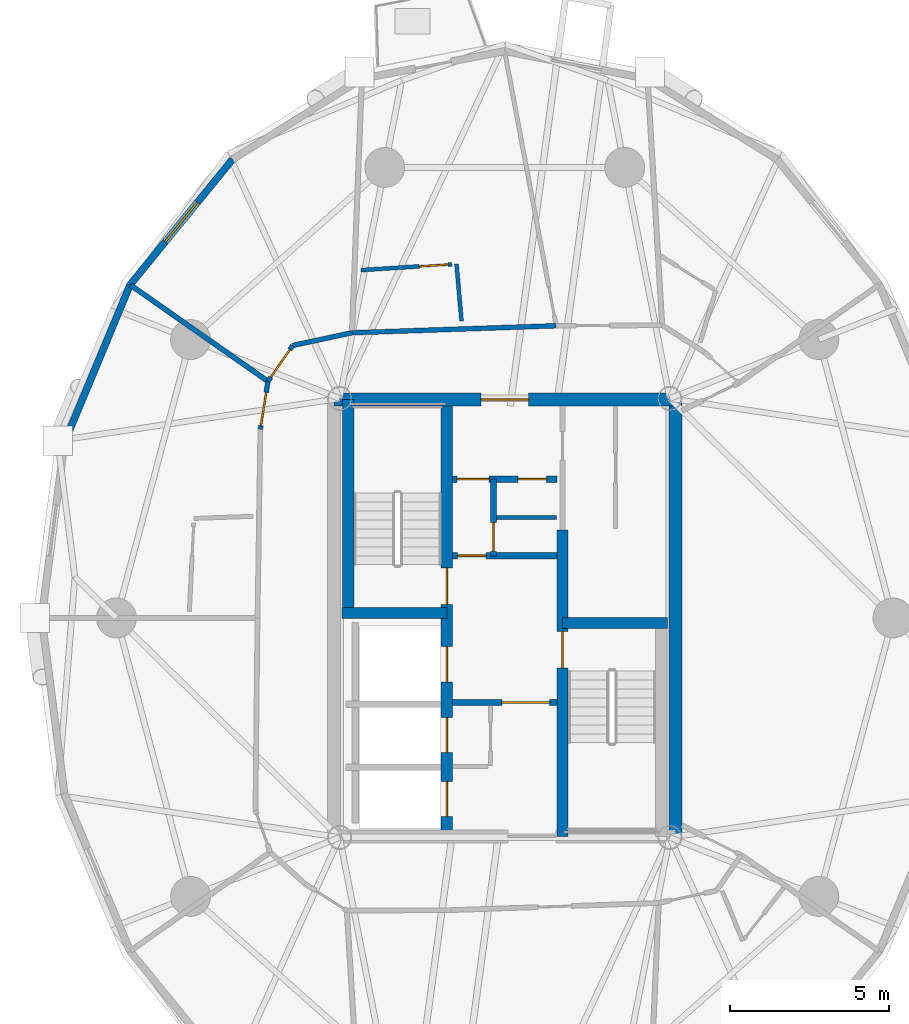
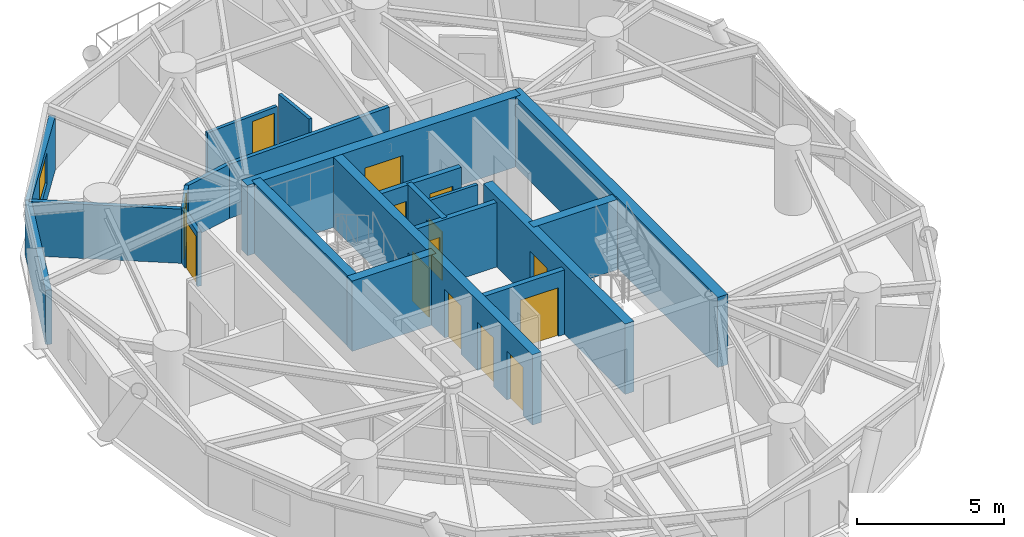
# One storey, part 11 of 19: 21 walls, 14 doors, 1 window, 15 openings.
"""IFC4 building model written with IfcOpenShell, lengths in metres."""

from ifc_helpers import new_model, si_unit, direction, frame, frame_2d, origin, place, context, subcontext, project, spatial, rectangle, extrude, source, transform, mapped, material, layer, layer_set, type_object, element, fill, save


model = new_model("IFC4")

# Units and contexts
model_context = context("Model", 3, precision=1e-05, world=origin(), true_north=direction((0.0, 1.0)))
body_context = subcontext(model_context, "Body", "Model", "MODEL_VIEW")
ifc_project = project(units=[si_unit("LENGTHUNIT", "METRE"), si_unit("AREAUNIT", "SQUARE_METRE"), si_unit("VOLUMEUNIT", "CUBIC_METRE"), si_unit("PLANEANGLEUNIT", "RADIAN"), si_unit("MASSUNIT", "GRAM", prefix="KILO")], contexts=[model_context])

# Site, building, storey
site_placement = place(None, origin())
site = spatial("IfcSite", under=ifc_project, at=site_placement, CompositionType="ELEMENT")
building_placement = place(site_placement, origin())
building = spatial("IfcBuilding", under=site, at=building_placement, Name="Cununo Teusaquillo Station Towers", CompositionType="ELEMENT")
storey_placement = place(building_placement, frame((0.0, 0.0, 151.60009765625)))
storey = spatial("IfcBuildingStorey", under=building, at=storey_placement, Name="L47", CompositionType="ELEMENT", Elevation=151.60009765625)

# Wall, openings, doors
ifc_material_1 = material(Name="Concrete C50/60", Category="concrete")
ifc_layer_1 = layer(ifc_material_1, 0.35009765625)
ifc_layer_set_1 = layer_set([ifc_layer_1], Name="Concrete C50/60")
wall_type_1 = type_object("IfcWallType", Name="WL-CORE-350", PredefinedType="SHEAR", material=ifc_layer_set_1)
wall_1_placement = place(storey_placement, frame((14.68505859375, 17.64990234375, 0.0), z_axis=(0.0, 0.0, 1.0), x_axis=(0.0, 1.0, 0.0)))
wall_1 = element("IfcWall", 1, at=wall_1_placement, inside=storey, type_object=wall_type_1, Name="L47 Tower A Core Shear Wall IW", PredefinedType="SHEAR", context=body_context, shape_type="SweptSolid", body=[
    extrude(rectangle(XDim=13.7001953125, YDim=0.35009765625, at=frame_2d((6.85009765625, 0.0))), origin(), (0.0, 0.0, 1.0), 2.909912109375),
])
shared_shape_1 = source(origin(), body_context, "Body", "SweptSolid", [
    extrude(rectangle(XDim=1.10009765625, YDim=2.014892578125, at=frame_2d((0.550048828125, 1.00732421875))), frame((0.0, 0.18505859375, 0.0), z_axis=(0.0, -1.0, 0.0), x_axis=(1.0, 0.0, 0.0)), (0.0, 0.0, 1.0), 0.3701171875),
])
opening_1_placement = place(wall_1_placement, frame((4.85009765625, 0.0, 0.0)))
opening_1 = element("IfcOpeningElement", 2, at=opening_1_placement, cuts=wall_1, Name="Opening LD-01", PredefinedType="OPENING", context=body_context, shape_type="MappedRepresentation", body=[
    mapped(shared_shape_1, transform((0.0, 0.0, 0.0), x_axis=(1.0, 0.0, 0.0), y_axis=(0.0, 1.0, 0.0), z_axis=(0.0, 0.0, 1.0), scale=1.0)),
])
opening_2_placement = place(wall_1_placement, frame((0.625, 0.0, 0.0)))
opening_2 = element("IfcOpeningElement", 3, at=opening_2_placement, cuts=wall_1, Name="Opening LD-01", PredefinedType="OPENING", context=body_context, shape_type="MappedRepresentation", body=[
    mapped(shared_shape_1, transform((0.0, 0.0, 0.0), x_axis=(1.0, 0.0, 0.0), y_axis=(0.0, 1.0, 0.0), z_axis=(0.0, 0.0, 1.0), scale=1.0)),
])
opening_3_placement = place(wall_1_placement, frame((2.625, 0.0, 0.0)))
opening_3 = element("IfcOpeningElement", 4, at=opening_3_placement, cuts=wall_1, Name="Opening LD-01", PredefinedType="OPENING", context=body_context, shape_type="MappedRepresentation", body=[
    mapped(shared_shape_1, transform((0.0, 0.0, 0.0), x_axis=(1.0, 0.0, 0.0), y_axis=(0.0, 1.0, 0.0), z_axis=(0.0, 0.0, 1.0), scale=1.0)),
])
shared_shape_2 = source(origin(), body_context, "Body", "SweptSolid", [
    extrude(rectangle(XDim=1.14990234375, YDim=2.02001953125, at=frame_2d((0.574951171875, 1.010009765625))), frame((0.0, 0.18505859375, 0.0), z_axis=(0.0, -1.0, 0.0), x_axis=(1.0, 0.0, 0.0)), (0.0, 0.0, 1.0), 0.3701171875),
])
opening_4_placement = place(wall_1_placement, frame((7.27001953125, 0.0, 0.0)))
opening_4 = element("IfcOpeningElement", 5, at=opening_4_placement, cuts=wall_1, Name="Opening D-ST1", PredefinedType="OPENING", context=body_context, shape_type="MappedRepresentation", body=[
    mapped(shared_shape_2, transform((0.0, 0.0, 0.0), x_axis=(1.0, 0.0, 0.0), y_axis=(0.0, 1.0, 0.0), z_axis=(0.0, 0.0, 1.0), scale=1.0)),
])
ifc_material_2 = material(Name="Galvanised fire-rated hollow steel door assembly", Category="steel")
door_type_1 = type_object("IfcDoorType", Name="DR-LIFT-1100", OperationType="SLIDING_TO_LEFT", PredefinedType="DOOR", material=ifc_material_2)
shared_shape_3 = source(origin(), body_context, "Body", "SweptSolid", [
    extrude(rectangle(XDim=1.10009765625, YDim=2.014892578125, at=frame_2d((0.550048828125, 1.00732421875))), frame((0.0, 0.02490234375, 0.0), z_axis=(0.0, -1.0, 0.0), x_axis=(1.0, 0.0, 0.0)), (0.0, 0.0, 1.0), 0.050048828125),
])
door_1_placement = place(opening_1_placement, origin())
door_1 = element("IfcDoor", 6, at=door_1_placement, inside=storey, type_object=door_type_1, Name="L47 Lift FL-T1 Sliding Landing Door", OperationType="SLIDING_TO_RIGHT", OverallHeight=2.014892578125, OverallWidth=1.10009765625, PredefinedType="DOOR", context=body_context, shape_type="MappedRepresentation", body=[
    mapped(shared_shape_3, transform((0.0, 0.0, 0.0), x_axis=(1.0, 0.0, 0.0), y_axis=(0.0, 1.0, 0.0), z_axis=(0.0, 0.0, 1.0), scale=1.0)),
])
fill(opening_1, door_1)
door_2_placement = place(opening_2_placement, origin())
door_2 = element("IfcDoor", 7, at=door_2_placement, inside=storey, type_object=door_type_1, Name="L47 Lift PL-T1-H1 Sliding Landing Door", OperationType="SLIDING_TO_LEFT", OverallHeight=2.014892578125, OverallWidth=1.10009765625, PredefinedType="DOOR", context=body_context, shape_type="MappedRepresentation", body=[
    mapped(shared_shape_3, transform((0.0, 0.0, 0.0), x_axis=(1.0, 0.0, 0.0), y_axis=(0.0, 1.0, 0.0), z_axis=(0.0, 0.0, 1.0), scale=1.0)),
])
fill(opening_2, door_2)
door_3_placement = place(opening_3_placement, origin())
door_3 = element("IfcDoor", 8, at=door_3_placement, inside=storey, type_object=door_type_1, Name="L47 Lift PL-T1-H2 Sliding Landing Door", OperationType="SLIDING_TO_RIGHT", OverallHeight=2.014892578125, OverallWidth=1.10009765625, PredefinedType="DOOR", context=body_context, shape_type="MappedRepresentation", body=[
    mapped(shared_shape_3, transform((0.0, 0.0, 0.0), x_axis=(1.0, 0.0, 0.0), y_axis=(0.0, 1.0, 0.0), z_axis=(0.0, 0.0, 1.0), scale=1.0)),
])
fill(opening_3, door_3)
ifc_material_3 = material(Name="Galvanised fire-rated hollow steel door assembly", Category="steel")
door_type_2 = type_object("IfcDoorType", Name="DR-STAIR-1150", OperationType="NOTDEFINED", PredefinedType="DOOR", material=ifc_material_3)
shared_shape_4 = source(origin(), body_context, "Body", "SweptSolid", [
    extrude(rectangle(XDim=1.14990234375, YDim=2.02001953125, at=frame_2d((0.574951171875, 1.010009765625))), frame((0.0, 0.02490234375, 0.0), z_axis=(0.0, -1.0, 0.0), x_axis=(1.0, 0.0, 0.0)), (0.0, 0.0, 1.0), 0.050048828125),
])
door_4_placement = place(opening_4_placement, origin())
door_4 = element("IfcDoor", 9, at=door_4_placement, inside=storey, type_object=door_type_2, Name="L47 Tower A Exit Stair 1 Fire Door", OperationType="SINGLE_SWING_RIGHT", OverallHeight=2.02001953125, OverallWidth=1.14990234375, PredefinedType="DOOR", context=body_context, shape_type="MappedRepresentation", body=[
    mapped(shared_shape_4, transform((0.0, 0.0, 0.0), x_axis=(1.0, 0.0, 0.0), y_axis=(0.0, 1.0, 0.0), z_axis=(0.0, 0.0, 1.0), scale=1.0)),
])
fill(opening_4, door_4)

# Wall, opening, door
wall_2_placement = place(storey_placement, frame((18.31494140625, 17.64990234375, 0.0), z_axis=(0.0, 0.0, 1.0), x_axis=(0.0, 1.0, 0.0)))
wall_2 = element("IfcWall", 10, at=wall_2_placement, inside=storey, type_object=wall_type_1, Name="L47 Tower A Core Shear Wall IE", PredefinedType="SHEAR", context=body_context, shape_type="SweptSolid", body=[
    extrude(rectangle(XDim=9.60009765625, YDim=0.35009765625, at=frame_2d((4.800048828125, 0.0))), origin(), (0.0, 0.0, 1.0), 2.909912109375),
])
opening_5_placement = place(wall_2_placement, frame((5.280029296875, 0.0, 0.0)))
opening_5 = element("IfcOpeningElement", 11, at=opening_5_placement, cuts=wall_2, Name="Opening D-ST1", PredefinedType="OPENING", context=body_context, shape_type="MappedRepresentation", body=[
    mapped(shared_shape_2, transform((0.0, 0.0, 0.0), x_axis=(1.0, 0.0, 0.0), y_axis=(0.0, 1.0, 0.0), z_axis=(0.0, 0.0, 1.0), scale=1.0)),
])
door_5_placement = place(opening_5_placement, origin())
door_5 = element("IfcDoor", 12, at=door_5_placement, inside=storey, type_object=door_type_2, Name="L47 Tower A Exit Stair 2 Fire Door", OperationType="SINGLE_SWING_LEFT", OverallHeight=2.02001953125, OverallWidth=1.14990234375, PredefinedType="DOOR", context=body_context, shape_type="MappedRepresentation", body=[
    mapped(shared_shape_4, transform((0.0, 0.0, 0.0), x_axis=(1.0, 0.0, 0.0), y_axis=(0.0, 1.0, 0.0), z_axis=(0.0, 0.0, 1.0), scale=1.0)),
])
fill(opening_5, door_5)

# Walls
wall_3_placement = place(storey_placement, frame((11.594970703125, 24.655029296875, 0.0), z_axis=(0.0, 0.0, 1.0), x_axis=(0.0, 1.0, 0.0)))
element("IfcWall", 13, at=wall_3_placement, inside=storey, type_object=wall_type_1, Name="L47 Tower A Core Shear Wall ST1W", PredefinedType="SHEAR", context=body_context, shape_type="SweptSolid", body=[
    extrude(rectangle(XDim=6.695068359375, YDim=0.35009765625, at=frame_2d((3.34765625, 0.0))), origin(), (0.0, 0.0, 1.0), 2.909912109375),
])
for number, where, z_axis, x_axis, name in (
    (14, (11.39990234375, 24.655029296875, 0.0), (0.0, 0.0, 1.0), (1.0, 0.0, 0.0), "L47 Tower A Core Shear Wall ST1S"),
    (15, (18.31494140625, 24.344970703125, 0.0), (0.0, 0.0, 1.0), (1.0, 0.0, 0.0), "L47 Tower A Core Shear Wall ST2N"),
):
    element("IfcWall", number, at=place(storey_placement, frame(where, z_axis=z_axis, x_axis=x_axis)), inside=storey, type_object=wall_type_1, Name=name, PredefinedType="SHEAR", context=body_context, shape_type="SweptSolid", body=[
        extrude(rectangle(XDim=3.28515625, YDim=0.35009765625, at=frame_2d((1.642578125, 0.0))), origin(), (0.0, 0.0, 1.0), 2.909912109375),
    ])
ifc_material_4 = material(Name="Concrete C50/60", Category="concrete")
ifc_layer_2 = layer(ifc_material_4, 0.39990234375)
ifc_layer_set_2 = layer_set([ifc_layer_2], Name="Concrete C50/60")
wall_type_2 = type_object("IfcWallType", Name="WL-CORE-400", PredefinedType="SHEAR", material=ifc_layer_set_2)
wall_4_placement = place(storey_placement, frame((21.85009765625, 17.449951171875, 0.0), z_axis=(0.0, 0.0, 1.0), x_axis=(0.0, 1.0, 0.0)))
element("IfcWall", 16, at=wall_4_placement, inside=storey, type_object=wall_type_2, Name="L47 Tower A Core Shear Wall E", PredefinedType="SHEAR", context=body_context, shape_type="SweptSolid", body=[
    extrude(rectangle(XDim=14.10009765625, YDim=0.39990234375, at=frame_2d((7.050048828125, 0.0))), origin(), (0.0, 0.0, 1.0), 2.909912109375),
])

# Wall, opening, door
wall_5_placement = place(storey_placement, frame((11.14990234375, 31.35009765625, 0.0), z_axis=(0.0, 0.0, 1.0), x_axis=(1.0, 0.0, 0.0)))
wall_5 = element("IfcWall", 17, at=wall_5_placement, inside=storey, type_object=wall_type_2, Name="L47 Tower A Core Shear Wall N", PredefinedType="SHEAR", context=body_context, shape_type="SweptSolid", body=[
    extrude(rectangle(XDim=10.7001953125, YDim=0.39990234375, at=frame_2d((5.35009765625, 0.0))), origin(), (0.0, 0.0, 1.0), 2.909912109375),
])
shared_shape_5 = source(origin(), body_context, "Body", "SweptSolid", [
    extrude(rectangle(XDim=1.5, YDim=2.02001953125, at=frame_2d((0.75, 1.010009765625))), frame((0.0, 0.2099609375, 0.0), z_axis=(0.0, -1.0, 0.0), x_axis=(1.0, 0.0, 0.0)), (0.0, 0.0, 1.0), 0.419921875),
])
opening_6_placement = place(wall_5_placement, frame((4.60009765625, 0.0, 0.0)))
opening_6 = element("IfcOpeningElement", 18, at=opening_6_placement, cuts=wall_5, Name="Opening D-LB1", PredefinedType="OPENING", context=body_context, shape_type="MappedRepresentation", body=[
    mapped(shared_shape_5, transform((0.0, 0.0, 0.0), x_axis=(1.0, 0.0, 0.0), y_axis=(0.0, 1.0, 0.0), z_axis=(0.0, 0.0, 1.0), scale=1.0)),
])
ifc_material_5 = material(Name="Galvanised fire-rated hollow steel door assembly", Category="steel")
door_type_3 = type_object("IfcDoorType", Name="DR-LOBBY-1500", OperationType="DOUBLE_DOOR_SINGLE_SWING", PredefinedType="DOOR", material=ifc_material_5)
shared_shape_6 = source(origin(), body_context, "Body", "SweptSolid", [
    extrude(rectangle(XDim=1.5, YDim=2.02001953125, at=frame_2d((0.75, 1.010009765625))), frame((0.0, 0.02490234375, 0.0), z_axis=(0.0, -1.0, 0.0), x_axis=(1.0, 0.0, 0.0)), (0.0, 0.0, 1.0), 0.050048828125),
])
door_6_placement = place(opening_6_placement, origin())
door_6 = element("IfcDoor", 19, at=door_6_placement, inside=storey, type_object=door_type_3, Name="L47 Tower A North Core Lift Lobby Door", OperationType="DOUBLE_DOOR_SINGLE_SWING", OverallHeight=2.02001953125, OverallWidth=1.5, PredefinedType="DOOR", context=body_context, shape_type="MappedRepresentation", body=[
    mapped(shared_shape_6, transform((0.0, 0.0, 0.0), x_axis=(1.0, 0.0, 0.0), y_axis=(0.0, 1.0, 0.0), z_axis=(0.0, 0.0, 1.0), scale=1.0)),
])
fill(opening_6, door_6)

# Wall, opening, window
ifc_material_6 = material(Name="Precast concrete C40/50", Category="concrete")
ifc_layer_3 = layer(ifc_material_6, 0.219970703125)
ifc_layer_set_3 = layer_set([ifc_layer_3], Name="Precast concrete C40/50")
wall_type_3 = type_object("IfcWallType", Name="WL-EXT-220", PredefinedType="SOLIDWALL", material=ifc_layer_set_3)
wall_6_placement = place(storey_placement, frame((4.757080078125, 34.94482421875, 0.0), z_axis=(0.0, 0.0, 1.0), x_axis=(0.632598524901, 0.774479894053, 0.0)))
wall_6 = element("IfcWall", 20, at=wall_6_placement, inside=storey, type_object=wall_type_3, Name="L47 Tower A Exterior Facade Wall C07", PredefinedType="SOLIDWALL", context=body_context, shape_type="SweptSolid", body=[
    extrude(rectangle(XDim=5.076171875, YDim=0.219970703125, at=frame_2d((2.5380859375, 0.0))), origin(), (0.0, 0.0, 1.0), 2.244873046875),
])
shared_shape_7 = source(origin(), body_context, "Body", "SweptSolid", [
    extrude(rectangle(XDim=1.60009765625, YDim=1.300048828125, at=frame_2d((0.800048828125, 0.64990234375))), frame((0.0, 0.119873046875, 0.0), z_axis=(0.0, -1.0, 0.0), x_axis=(1.0, 0.0, 0.0)), (0.0, 0.0, 1.0), 0.239990234375),
])
opening_7_placement = place(wall_6_placement, frame((1.738037109375, 0.0, 0.64990234375)))
opening_7 = element("IfcOpeningElement", 21, at=opening_7_placement, cuts=wall_6, Name="Opening WN-03", PredefinedType="OPENING", context=body_context, shape_type="MappedRepresentation", body=[
    mapped(shared_shape_7, transform((0.0, 0.0, 0.0), x_axis=(1.0, 0.0, 0.0), y_axis=(0.0, 1.0, 0.0), z_axis=(0.0, 0.0, 1.0), scale=1.0)),
])
ifc_material_7 = material(Name="Ceramic-fritted dark low-E double glazing", Category="glass")
window_type = type_object("IfcWindowType", Name="WIN-CORN-1600", PartitioningType="SINGLE_PANEL", PredefinedType="WINDOW", material=ifc_material_7)
shared_shape_8 = source(origin(), body_context, "Body", "SweptSolid", [
    extrude(rectangle(XDim=1.60009765625, YDim=1.300048828125, at=frame_2d((0.800048828125, 0.64990234375))), frame((0.0, 0.030029296875, 0.0), z_axis=(0.0, -1.0, 0.0), x_axis=(1.0, 0.0, 0.0)), (0.0, 0.0, 1.0), 0.06005859375),
])
window_placement = place(opening_7_placement, origin())
window = element("IfcWindow", 22, at=window_placement, inside=storey, type_object=window_type, Name="L47 Tower A Facade Window C07", OverallHeight=1.300048828125, OverallWidth=1.60009765625, PartitioningType="SINGLE_PANEL", PredefinedType="WINDOW", context=body_context, shape_type="MappedRepresentation", body=[
    mapped(shared_shape_8, transform((0.0, 0.0, 0.0), x_axis=(1.0, 0.0, 0.0), y_axis=(0.0, 1.0, 0.0), z_axis=(0.0, 0.0, 1.0), scale=1.0)),
])
fill(opening_7, window)

# Walls
wall_7_placement = place(storey_placement, frame((2.6953125, 29.9912109375, 0.0), z_axis=(0.0, 0.0, 1.0), x_axis=(0.384259959969, 0.923224936386, 0.0)))
element("IfcWall", 23, at=wall_7_placement, inside=storey, type_object=wall_type_3, Name="L47 Tower A Exterior Facade Wall C08", PredefinedType="SOLIDWALL", context=body_context, shape_type="SweptSolid", body=[
    extrude(rectangle(XDim=5.365478515625, YDim=0.219970703125, at=frame_2d((2.6826171875, 0.0))), origin(), (0.0, 0.0, 1.0), 2.244873046875),
])
ifc_material_8 = material(Name="Fire-rated gypsum plasterboard partition assembly", Category="gypsum")
ifc_layer_4 = layer(ifc_material_8, 0.125)
ifc_layer_set_4 = layer_set([ifc_layer_4], Name="Fire-rated gypsum plasterboard partition assembly")
wall_type_4 = type_object("IfcWallType", Name="WL-PART-125", PredefinedType="PARTITIONING", material=ifc_layer_set_4)
wall_8_placement = place(storey_placement, frame((16.239990234375, 27.64990234375, 0.0), z_axis=(0.0, 0.0, 1.0), x_axis=(1.0, 0.0, 0.0)))
element("IfcWall", 24, at=wall_8_placement, inside=storey, type_object=wall_type_4, Name="L47 Tower A Core Horizontal Split Wall", PredefinedType="PARTITIONING", context=body_context, shape_type="SweptSolid", body=[
    extrude(rectangle(XDim=1.880126953125, YDim=0.125, at=frame_2d((0.93994140625, 0.0))), origin(), (0.0, 0.0, 1.0), 2.6748046875),
])
wall_9_placement = place(storey_placement, frame((15.14599609375, 33.807373046875, 0.0), z_axis=(0.0, 0.0, 1.0), x_axis=(-0.087433462003, 0.996170361797, 0.0)))
element("IfcWall", 25, at=wall_9_placement, inside=storey, type_object=wall_type_4, Name="L47 Tower A S02 En-suite Side Wall", PredefinedType="PARTITIONING", context=body_context, shape_type="SweptSolid", body=[
    extrude(rectangle(XDim=1.79541015625, YDim=0.125, at=frame_2d((0.897705078125, 0.0))), origin(), (0.0, 0.0, 1.0), 2.6748046875),
])

# Wall, opening, door
wall_10_placement = place(storey_placement, frame((14.8408203125, 35.58642578125, 0.0), z_axis=(0.0, 0.0, 1.0), x_axis=(-0.997963636416, -0.063785424599, 0.0)))
wall_10 = element("IfcWall", 26, at=wall_10_placement, inside=storey, type_object=wall_type_4, Name="L47 Tower A S02 En-suite Back Wall", PredefinedType="PARTITIONING", context=body_context, shape_type="SweptSolid", body=[
    extrude(rectangle(XDim=2.8515625, YDim=0.125, at=frame_2d((1.42578125, 0.0))), origin(), (0.0, 0.0, 1.0), 2.244873046875),
])
shared_shape_9 = source(origin(), body_context, "Body", "SweptSolid", [
    extrude(rectangle(XDim=0.89990234375, YDim=2.0048828125, at=frame_2d((0.449951171875, 1.00244140625))), frame((0.0, 0.072509765625, 0.0), z_axis=(0.0, -1.0, 0.0), x_axis=(1.0, 0.0, 0.0)), (0.0, 0.0, 1.0), 0.14501953125),
])
opening_8_placement = place(wall_10_placement, frame((0.1201171875, 0.0, 0.0)))
opening_8 = element("IfcOpeningElement", 27, at=opening_8_placement, cuts=wall_10, Name="Opening D-IN1", PredefinedType="OPENING", context=body_context, shape_type="MappedRepresentation", body=[
    mapped(shared_shape_9, transform((0.0, 0.0, 0.0), x_axis=(1.0, 0.0, 0.0), y_axis=(0.0, 1.0, 0.0), z_axis=(0.0, 0.0, 1.0), scale=1.0)),
])
ifc_material_9 = material(Name="Acoustic solid-core hardwood leaf assembly", Category="wood")
door_type_4 = type_object("IfcDoorType", Name="DR-INT-900", OperationType="NOTDEFINED", PredefinedType="DOOR", material=ifc_material_9)
shared_shape_10 = source(origin(), body_context, "Body", "SweptSolid", [
    extrude(rectangle(XDim=0.89990234375, YDim=2.0048828125, at=frame_2d((0.449951171875, 1.00244140625))), frame((0.0, 0.02490234375, 0.0), z_axis=(0.0, -1.0, 0.0), x_axis=(1.0, 0.0, 0.0)), (0.0, 0.0, 1.0), 0.050048828125),
])
door_7_placement = place(opening_8_placement, origin())
door_7 = element("IfcDoor", 28, at=door_7_placement, inside=storey, type_object=door_type_4, Name="L47 Tower A S02 En-suite Bathroom Door", OperationType="SINGLE_SWING_LEFT", OverallHeight=2.0048828125, OverallWidth=0.89990234375, PredefinedType="DOOR", context=body_context, shape_type="MappedRepresentation", body=[
    mapped(shared_shape_10, transform((0.0, 0.0, 0.0), x_axis=(1.0, 0.0, 0.0), y_axis=(0.0, 1.0, 0.0), z_axis=(0.0, 0.0, 1.0), scale=1.0)),
])
fill(opening_8, door_7)

# Walls
ifc_material_10 = material(Name="Fire-rated gypsum plasterboard partition assembly", Category="gypsum")
ifc_layer_5 = layer(ifc_material_10, 0.14990234375)
ifc_layer_set_5 = layer_set([ifc_layer_5], Name="Fire-rated gypsum plasterboard partition assembly")
wall_type_5 = type_object("IfcWallType", Name="WL-PART-150", PredefinedType="PARTITIONING", material=ifc_layer_set_5)
wall_11_placement = place(storey_placement, frame((18.1123046875, 33.659423828125, 0.0), z_axis=(0.0, 0.0, 1.0), x_axis=(-0.999413895918, -0.034232508622, 0.0)))
element("IfcWall", 29, at=wall_11_placement, inside=storey, type_object=wall_type_5, Name="L47 Tower A Corridor Ring Wall C05", PredefinedType="PARTITIONING", context=body_context, shape_type="SweptSolid", body=[
    extrude(rectangle(XDim=6.404296875, YDim=0.14990234375, at=frame_2d((3.2021484375, 0.0))), origin(), (0.0, 0.0, 1.0), 2.244873046875),
])
wall_12_placement = place(storey_placement, frame((11.711669921875, 33.440185546875, 0.0), z_axis=(0.0, 0.0, 1.0), x_axis=(-0.977753514213, -0.209757158265, 0.0)))
element("IfcWall", 30, at=wall_12_placement, inside=storey, type_object=wall_type_5, Name="L47 Tower A Corridor Ring Wall C06", PredefinedType="PARTITIONING", context=body_context, shape_type="SweptSolid", body=[
    extrude(rectangle(XDim=1.900634765625, YDim=0.14990234375, at=frame_2d((0.9501953125, 0.0))), origin(), (0.0, 0.0, 1.0), 2.244873046875),
])

# Wall, opening, door
wall_13_placement = place(storey_placement, frame((9.853271484375, 33.04150390625, 0.0), z_axis=(0.0, 0.0, 1.0), x_axis=(-0.567189283521, -0.823587467522, 0.0)))
wall_13 = element("IfcWall", 31, at=wall_13_placement, inside=storey, type_object=wall_type_5, Name="L47 Tower A Corridor Ring Wall C07", PredefinedType="PARTITIONING", context=body_context, shape_type="SweptSolid", body=[
    extrude(rectangle(XDim=1.364501953125, YDim=0.14990234375, at=frame_2d((0.68212890625, 0.0))), origin(), (0.0, 0.0, 1.0), 2.244873046875),
])
shared_shape_11 = source(origin(), body_context, "Body", "SweptSolid", [
    extrude(rectangle(XDim=1.050048828125, YDim=2.014892578125, at=frame_2d((0.52490234375, 1.00732421875))), frame((0.0, 0.0849609375, 0.0), z_axis=(0.0, -1.0, 0.0), x_axis=(1.0, 0.0, 0.0)), (0.0, 0.0, 1.0), 0.169921875),
])
opening_9_placement = place(wall_13_placement, frame((0.1572265625, 0.0, 0.0)))
opening_9 = element("IfcOpeningElement", 32, at=opening_9_placement, cuts=wall_13, Name="Opening D-SU1", PredefinedType="OPENING", context=body_context, shape_type="MappedRepresentation", body=[
    mapped(shared_shape_11, transform((0.0, 0.0, 0.0), x_axis=(1.0, 0.0, 0.0), y_axis=(0.0, 1.0, 0.0), z_axis=(0.0, 0.0, 1.0), scale=1.0)),
])
ifc_material_11 = material(Name="Acoustic solid-core hardwood leaf assembly", Category="wood")
door_type_5 = type_object("IfcDoorType", Name="DR-SUITE-1050", OperationType="NOTDEFINED", PredefinedType="DOOR", material=ifc_material_11)
shared_shape_12 = source(origin(), body_context, "Body", "SweptSolid", [
    extrude(rectangle(XDim=1.050048828125, YDim=2.014892578125, at=frame_2d((0.52490234375, 1.00732421875))), frame((0.0, 0.02490234375, 0.0), z_axis=(0.0, -1.0, 0.0), x_axis=(1.0, 0.0, 0.0)), (0.0, 0.0, 1.0), 0.050048828125),
])
door_8_placement = place(opening_9_placement, origin())
door_8 = element("IfcDoor", 33, at=door_8_placement, inside=storey, type_object=door_type_5, Name="L47 Tower A Sky Sommelier Lounge Entrance Door", OperationType="SINGLE_SWING_RIGHT", OverallHeight=2.014892578125, OverallWidth=1.050048828125, PredefinedType="DOOR", context=body_context, shape_type="MappedRepresentation", body=[
    mapped(shared_shape_12, transform((0.0, 0.0, 0.0), x_axis=(1.0, 0.0, 0.0), y_axis=(0.0, 1.0, 0.0), z_axis=(0.0, 0.0, 1.0), scale=1.0)),
])
fill(opening_9, door_8)

wall_14_placement = place(storey_placement, frame((9.079345703125, 31.917724609375, 0.0), z_axis=(0.0, 0.0, 1.0), x_axis=(-0.15742775293, -0.987530507178, 0.0)))
wall_14 = element("IfcWall", 34, at=wall_14_placement, inside=storey, type_object=wall_type_5, Name="L47 Tower A Corridor Ring Wall C08", PredefinedType="PARTITIONING", context=body_context, shape_type="SweptSolid", body=[
    extrude(rectangle(XDim=1.52294921875, YDim=0.14990234375, at=frame_2d((0.761474609375, 0.0))), origin(), (0.0, 0.0, 1.0), 2.244873046875),
])
opening_10_placement = place(wall_14_placement, frame((0.352783203125, 0.0, 0.0)))
opening_10 = element("IfcOpeningElement", 35, at=opening_10_placement, cuts=wall_14, Name="Opening D-SU1", PredefinedType="OPENING", context=body_context, shape_type="MappedRepresentation", body=[
    mapped(shared_shape_11, transform((0.0, 0.0, 0.0), x_axis=(1.0, 0.0, 0.0), y_axis=(0.0, 1.0, 0.0), z_axis=(0.0, 0.0, 1.0), scale=1.0)),
])
door_9_placement = place(opening_10_placement, origin())
door_9 = element("IfcDoor", 36, at=door_9_placement, inside=storey, type_object=door_type_5, Name="L47 Tower A Andean Crest Hotel Suite Entrance Door", OperationType="SINGLE_SWING_LEFT", OverallHeight=2.014892578125, OverallWidth=1.050048828125, PredefinedType="DOOR", context=body_context, shape_type="MappedRepresentation", body=[
    mapped(shared_shape_12, transform((0.0, 0.0, 0.0), x_axis=(1.0, 0.0, 0.0), y_axis=(0.0, 1.0, 0.0), z_axis=(0.0, 0.0, 1.0), scale=1.0)),
])
fill(opening_10, door_9)

# Wall
ifc_material_12 = material(Name="Fire-rated gypsum plasterboard partition assembly", Category="gypsum")
ifc_layer_6 = layer(ifc_material_12, 0.159912109375)
ifc_layer_set_6 = layer_set([ifc_layer_6], Name="Fire-rated gypsum plasterboard partition assembly")
wall_type_6 = type_object("IfcWallType", Name="WL-PART-160", PredefinedType="PARTITIONING", material=ifc_layer_set_6)
wall_15_placement = place(storey_placement, frame((9.079345703125, 31.917724609375, 0.0), z_axis=(0.0, 0.0, 1.0), x_axis=(-0.819135909075, 0.573599479135, 0.0)))
element("IfcWall", 37, at=wall_15_placement, inside=storey, type_object=wall_type_6, Name="L47 Tower A Radial Suite Partition R04", PredefinedType="PARTITIONING", context=body_context, shape_type="SweptSolid", body=[
    extrude(rectangle(XDim=5.2568359375, YDim=0.159912109375, at=frame_2d((2.62841796875, 0.0))), origin(), (0.0, 0.0, 1.0), 2.244873046875),
])

# Wall, opening, door
ifc_material_13 = material(Name="Fire-rated gypsum plasterboard partition assembly", Category="gypsum")
ifc_layer_7 = layer(ifc_material_13, 0.199951171875)
ifc_layer_set_7 = layer_set([ifc_layer_7], Name="Fire-rated gypsum plasterboard partition assembly")
wall_type_7 = type_object("IfcWallType", Name="WL-PART-200", PredefinedType="PARTITIONING", material=ifc_layer_set_7)
wall_16_placement = place(storey_placement, frame((14.860107421875, 21.85009765625, 0.0), z_axis=(0.0, 0.0, 1.0), x_axis=(1.0, 0.0, 0.0)))
wall_16 = element("IfcWall", 38, at=wall_16_placement, inside=storey, type_object=wall_type_7, Name="L47 Tower A Firefighting Lift Lobby South Fire Wall", PredefinedType="PARTITIONING", context=body_context, shape_type="SweptSolid", body=[
    extrude(rectangle(XDim=3.27978515625, YDim=0.199951171875, at=frame_2d((1.639892578125, 0.0))), origin(), (0.0, 0.0, 1.0), 2.6748046875),
])
shared_shape_13 = source(origin(), body_context, "Body", "SweptSolid", [
    extrude(rectangle(XDim=1.5, YDim=2.02001953125, at=frame_2d((0.75, 1.010009765625))), frame((0.0, 0.10986328125, 0.0), z_axis=(0.0, -1.0, 0.0), x_axis=(1.0, 0.0, 0.0)), (0.0, 0.0, 1.0), 0.219970703125),
])
opening_11_placement = place(wall_16_placement, frame((1.550048828125, 0.0, 0.0)))
opening_11 = element("IfcOpeningElement", 39, at=opening_11_placement, cuts=wall_16, Name="Opening D-LB1", PredefinedType="OPENING", context=body_context, shape_type="MappedRepresentation", body=[
    mapped(shared_shape_13, transform((0.0, 0.0, 0.0), x_axis=(1.0, 0.0, 0.0), y_axis=(0.0, 1.0, 0.0), z_axis=(0.0, 0.0, 1.0), scale=1.0)),
])
door_10_placement = place(opening_11_placement, origin())
door_10 = element("IfcDoor", 40, at=door_10_placement, inside=storey, type_object=door_type_3, Name="L47 Tower A Firefighting Lift Lobby South Fire Door", OperationType="DOUBLE_DOOR_SINGLE_SWING", OverallHeight=2.02001953125, OverallWidth=1.5, PredefinedType="DOOR", context=body_context, shape_type="MappedRepresentation", body=[
    mapped(shared_shape_6, transform((0.0, 0.0, 0.0), x_axis=(1.0, 0.0, 0.0), y_axis=(0.0, 1.0, 0.0), z_axis=(0.0, 0.0, 1.0), scale=1.0)),
])
fill(opening_11, door_10)

wall_17_placement = place(storey_placement, frame((14.860107421875, 26.449951171875, 0.0), z_axis=(0.0, 0.0, 1.0), x_axis=(1.0, 0.0, 0.0)))
wall_17 = element("IfcWall", 41, at=wall_17_placement, inside=storey, type_object=wall_type_7, Name="L47 Tower A Firefighting Lift Lobby North Fire Wall", PredefinedType="PARTITIONING", context=body_context, shape_type="SweptSolid", body=[
    extrude(rectangle(XDim=3.27978515625, YDim=0.199951171875, at=frame_2d((1.639892578125, 0.0))), origin(), (0.0, 0.0, 1.0), 2.6748046875),
])
shared_shape_14 = source(origin(), body_context, "Body", "SweptSolid", [
    extrude(rectangle(XDim=0.89990234375, YDim=2.0048828125, at=frame_2d((0.449951171875, 1.00244140625))), frame((0.0, 0.10986328125, 0.0), z_axis=(0.0, -1.0, 0.0), x_axis=(1.0, 0.0, 0.0)), (0.0, 0.0, 1.0), 0.219970703125),
])
opening_12_placement = place(wall_17_placement, frame((0.159912109375, 0.0, 0.0)))
opening_12 = element("IfcOpeningElement", 42, at=opening_12_placement, cuts=wall_17, Name="Opening D-SR1", PredefinedType="OPENING", context=body_context, shape_type="MappedRepresentation", body=[
    mapped(shared_shape_14, transform((0.0, 0.0, 0.0), x_axis=(1.0, 0.0, 0.0), y_axis=(0.0, 1.0, 0.0), z_axis=(0.0, 0.0, 1.0), scale=1.0)),
])
ifc_material_14 = material(Name="Galvanised fire-rated hollow steel door assembly", Category="steel")
door_type_6 = type_object("IfcDoorType", Name="DR-STORE-900", OperationType="NOTDEFINED", PredefinedType="DOOR", material=ifc_material_14)
door_11_placement = place(opening_12_placement, origin())
door_11 = element("IfcDoor", 43, at=door_11_placement, inside=storey, type_object=door_type_6, Name="L47 Tower A Stair 1 Protected Vestibule South Door", OperationType="SINGLE_SWING_RIGHT", OverallHeight=2.0048828125, OverallWidth=0.89990234375, PredefinedType="DOOR", context=body_context, shape_type="MappedRepresentation", body=[
    mapped(shared_shape_10, transform((0.0, 0.0, 0.0), x_axis=(1.0, 0.0, 0.0), y_axis=(0.0, 1.0, 0.0), z_axis=(0.0, 0.0, 1.0), scale=1.0)),
])
fill(opening_12, door_11)

wall_18_placement = place(storey_placement, frame((16.14990234375, 26.449951171875, 0.0), z_axis=(0.0, 0.0, 1.0), x_axis=(0.0, 1.0, 0.0)))
wall_18 = element("IfcWall", 44, at=wall_18_placement, inside=storey, type_object=wall_type_7, Name="L47 Tower A Stair 1 Vestibule Partition Wall", PredefinedType="PARTITIONING", context=body_context, shape_type="SweptSolid", body=[
    extrude(rectangle(XDim=2.400146484375, YDim=0.199951171875, at=frame_2d((1.2001953125, 0.0))), origin(), (0.0, 0.0, 1.0), 2.6748046875),
])
opening_13_placement = place(wall_18_placement, frame((0.139892578125, 0.0, 0.0)))
opening_13 = element("IfcOpeningElement", 45, at=opening_13_placement, cuts=wall_18, Name="Opening D-SR1", PredefinedType="OPENING", context=body_context, shape_type="MappedRepresentation", body=[
    mapped(shared_shape_14, transform((0.0, 0.0, 0.0), x_axis=(1.0, 0.0, 0.0), y_axis=(0.0, 1.0, 0.0), z_axis=(0.0, 0.0, 1.0), scale=1.0)),
])
door_12_placement = place(opening_13_placement, origin())
door_12 = element("IfcDoor", 46, at=door_12_placement, inside=storey, type_object=door_type_6, Name="L47 Tower A Core Linen Store Door", OperationType="SINGLE_SWING_LEFT", OverallHeight=2.0048828125, OverallWidth=0.89990234375, PredefinedType="DOOR", context=body_context, shape_type="MappedRepresentation", body=[
    mapped(shared_shape_10, transform((0.0, 0.0, 0.0), x_axis=(1.0, 0.0, 0.0), y_axis=(0.0, 1.0, 0.0), z_axis=(0.0, 0.0, 1.0), scale=1.0)),
])
fill(opening_13, door_12)

# Wall, openings, doors
wall_19_placement = place(storey_placement, frame((14.860107421875, 28.85009765625, 0.0), z_axis=(0.0, 0.0, 1.0), x_axis=(1.0, 0.0, 0.0)))
wall_19 = element("IfcWall", 47, at=wall_19_placement, inside=storey, type_object=wall_type_7, Name="L47 Tower A North Lift Lobby South Fire Wall", PredefinedType="PARTITIONING", context=body_context, shape_type="SweptSolid", body=[
    extrude(rectangle(XDim=3.27978515625, YDim=0.199951171875, at=frame_2d((1.639892578125, 0.0))), origin(), (0.0, 0.0, 1.0), 2.6748046875),
])
shared_shape_15 = source(origin(), body_context, "Body", "SweptSolid", [
    extrude(rectangle(XDim=1.0, YDim=2.014892578125, at=frame_2d((0.5, 1.00732421875))), frame((0.0, 0.10986328125, 0.0), z_axis=(0.0, -1.0, 0.0), x_axis=(1.0, 0.0, 0.0)), (0.0, 0.0, 1.0), 0.219970703125),
])
opening_14_placement = place(wall_19_placement, frame((0.139892578125, 0.0, 0.0)))
opening_14 = element("IfcOpeningElement", 48, at=opening_14_placement, cuts=wall_19, Name="Opening D-AC1", PredefinedType="OPENING", context=body_context, shape_type="MappedRepresentation", body=[
    mapped(shared_shape_15, transform((0.0, 0.0, 0.0), x_axis=(1.0, 0.0, 0.0), y_axis=(0.0, 1.0, 0.0), z_axis=(0.0, 0.0, 1.0), scale=1.0)),
])
opening_15_placement = place(wall_19_placement, frame((2.050048828125, 0.0, 0.0)))
opening_15 = element("IfcOpeningElement", 49, at=opening_15_placement, cuts=wall_19, Name="Opening D-SR1", PredefinedType="OPENING", context=body_context, shape_type="MappedRepresentation", body=[
    mapped(shared_shape_14, transform((0.0, 0.0, 0.0), x_axis=(1.0, 0.0, 0.0), y_axis=(0.0, 1.0, 0.0), z_axis=(0.0, 0.0, 1.0), scale=1.0)),
])
door_13_placement = place(opening_15_placement, origin())
door_13 = element("IfcDoor", 50, at=door_13_placement, inside=storey, type_object=door_type_6, Name="L47 Tower A Core Comms Room Door", OperationType="SINGLE_SWING_RIGHT", OverallHeight=2.0048828125, OverallWidth=0.89990234375, PredefinedType="DOOR", context=body_context, shape_type="MappedRepresentation", body=[
    mapped(shared_shape_10, transform((0.0, 0.0, 0.0), x_axis=(1.0, 0.0, 0.0), y_axis=(0.0, 1.0, 0.0), z_axis=(0.0, 0.0, 1.0), scale=1.0)),
])
fill(opening_15, door_13)
ifc_material_15 = material(Name="Acoustic solid-core hardwood leaf assembly", Category="wood")
door_type_7 = type_object("IfcDoorType", Name="DR-ACC-1000", OperationType="NOTDEFINED", PredefinedType="DOOR", material=ifc_material_15)
shared_shape_16 = source(origin(), body_context, "Body", "SweptSolid", [
    extrude(rectangle(XDim=1.0, YDim=2.014892578125, at=frame_2d((0.5, 1.00732421875))), frame((0.0, 0.02490234375, 0.0), z_axis=(0.0, -1.0, 0.0), x_axis=(1.0, 0.0, 0.0)), (0.0, 0.0, 1.0), 0.050048828125),
])
door_14_placement = place(opening_14_placement, origin())
door_14 = element("IfcDoor", 51, at=door_14_placement, inside=storey, type_object=door_type_7, Name="L47 Tower A North Lift Lobby to Stair 1 Vestibule Door", OperationType="SINGLE_SWING_LEFT", OverallHeight=2.014892578125, OverallWidth=1.0, PredefinedType="DOOR", context=body_context, shape_type="MappedRepresentation", body=[
    mapped(shared_shape_16, transform((0.0, 0.0, 0.0), x_axis=(1.0, 0.0, 0.0), y_axis=(0.0, 1.0, 0.0), z_axis=(0.0, 0.0, 1.0), scale=1.0)),
])
fill(opening_14, door_14)

save(model, "model.ifc")
